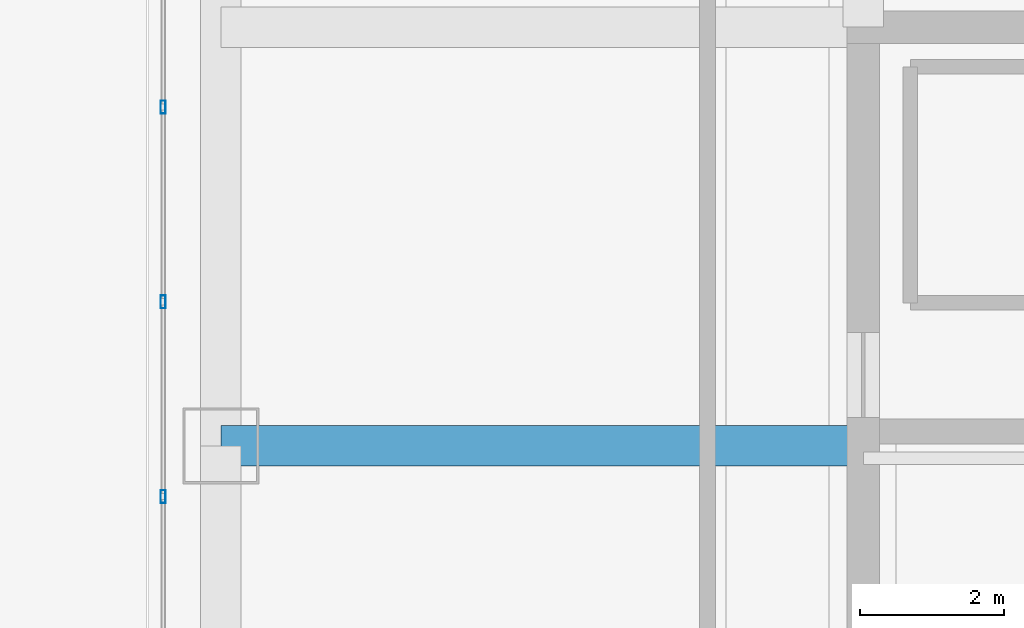
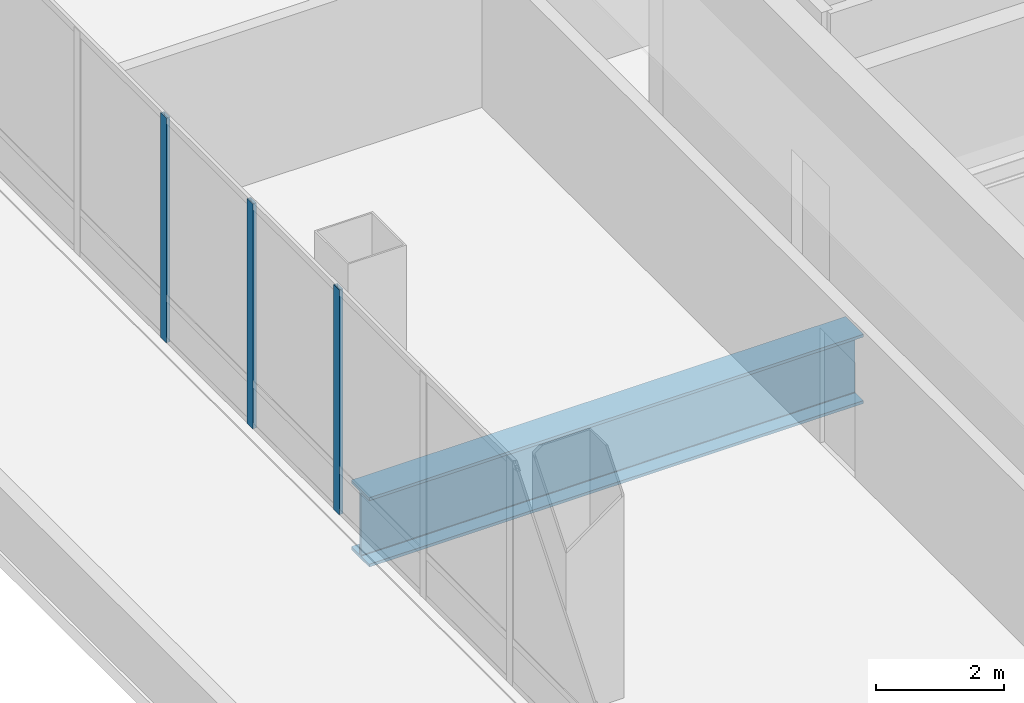
# One storey, part 10 of 33: 3 members, 1 beam, 1 element without a shape of its own.
"""IFC4 building model written with IfcOpenShell, lengths in metres."""

from ifc_helpers import new_model, si_unit, direction, frame, origin, origin_2d, place, context, subcontext, project, spatial, hollow_rectangle, i_section, extrude, material, material_profile, profile_set, type_object, element, aggregate, save


model = new_model("IFC4")

# Units and contexts
model_context = context("Model", 3, precision=1e-05, world=origin(), true_north=direction((0.0, 1.0)))
body_context = subcontext(model_context, "Body", "Model", "MODEL_VIEW")
ifc_project = project(units=[si_unit("LENGTHUNIT", "METRE"), si_unit("AREAUNIT", "SQUARE_METRE"), si_unit("VOLUMEUNIT", "CUBIC_METRE"), si_unit("PLANEANGLEUNIT", "RADIAN"), si_unit("MASSUNIT", "GRAM", prefix="KILO")], contexts=[model_context])

# Site, building, storey
site_placement = place(None, origin())
site = spatial("IfcSite", under=ifc_project, at=site_placement, CompositionType="ELEMENT")
building_placement = place(site_placement, origin())
building = spatial("IfcBuilding", under=site, at=building_placement, Name="Punatoya Terracotta Tower", CompositionType="ELEMENT")
storey_placement = place(building_placement, frame((0.0, 0.0, 343.800048828125)))
storey = spatial("IfcBuildingStorey", under=building, at=storey_placement, Name="L81", CompositionType="ELEMENT", Elevation=343.800048828125)

# Beam
ifc_material_1 = material(Name="Steel S460", Category="steel")
ifc_material_profile_1 = material_profile(ifc_material_1, i_section(OverallWidth=0.56005859375, OverallDepth=1.320068359375, WebThickness=0.035888671875, FlangeThickness=0.054931640625, FilletRadius=0.01806640625, at=origin_2d()))
ifc_profile_set_1 = profile_set([ifc_material_profile_1], Name="Steel S460")
beam_type = type_object("IfcBeamType", Name="BM-TG-BLK", PredefinedType="BEAM", material=ifc_profile_set_1)
beam_placement = place(storey_placement, frame((-19.10009765625, 3.39990234375, -0.93994140625), z_axis=(1.0, 0.0, 0.0), x_axis=(0.0, 1.0, 0.0)))
element("IfcBeam", 1, at=beam_placement, inside=storey, type_object=beam_type, Name="BM-L81-PR-WE", PredefinedType="BEAM", context=body_context, shape_type="SweptSolid", body=[
    extrude(i_section(OverallWidth=0.56005859375, OverallDepth=1.320068359375, WebThickness=0.035888671875, FlangeThickness=0.054931640625, FilletRadius=0.01806640625, at=origin_2d()), origin(), (0.0, 0.0, 1.0), 8.900146484375),
])

# Curtain wall, members
ifc_material_2 = material(Name="Aluminium 6063-T6 + Double Low-E Glass", Category="aluminium")
curtain_wall_type = type_object("IfcCurtainWallType", Name="CW-CRN", PredefinedType="NOTDEFINED", material=ifc_material_2)
curtain_wall_placement = place(storey_placement, origin())
curtain_wall = element("IfcCurtainWall", 2, at=curtain_wall_placement, inside=storey, type_object=curtain_wall_type, Name="L81 Curtain Wall CW-L81-W13-1", PredefinedType="NOTDEFINED")
ifc_material_3 = material(Name="Aluminium 6063-T6", Category="aluminium")
ifc_material_profile_2 = material_profile(ifc_material_3, hollow_rectangle(XDim=0.070068359375, YDim=0.179931640625, WallThickness=0.00390625, at=origin_2d()))
ifc_profile_set_2 = profile_set([ifc_material_profile_2], Name="Aluminium 6063-T6")
member_type = type_object("IfcMemberType", Name="CW-MUL-M3", PredefinedType="MULLION", material=ifc_profile_set_2)
member_1_placement = place(storey_placement, frame((-19.89990234375, 8.093505859375, 0.0), z_axis=(0.0, 0.0, 1.0), x_axis=(1.0, 0.0, 0.0)))
member_1 = element("IfcMember", 3, at=member_1_placement, type_object=member_type, Name="CW-L81-W13-1 Mullion 03", PredefinedType="MULLION", context=body_context, shape_type="SweptSolid", body=[
    extrude(hollow_rectangle(XDim=0.070068359375, YDim=0.179931640625, WallThickness=0.00390625, at=origin_2d()), origin(), (0.0, 0.0, 1.0), 4.280029296875),
])
member_2_placement = place(storey_placement, frame((-19.89990234375, 5.3955078125, 0.0), z_axis=(0.0, 0.0, 1.0), x_axis=(1.0, 0.0, 0.0)))
member_2 = element("IfcMember", 4, at=member_2_placement, type_object=member_type, Name="CW-L81-W13-1 Mullion 04", PredefinedType="MULLION", context=body_context, shape_type="SweptSolid", body=[
    extrude(hollow_rectangle(XDim=0.070068359375, YDim=0.179931640625, WallThickness=0.00390625, at=origin_2d()), origin(), (0.0, 0.0, 1.0), 4.280029296875),
])
member_3_placement = place(storey_placement, frame((-19.89990234375, 2.69775390625, 0.0), z_axis=(0.0, 0.0, 1.0), x_axis=(1.0, 0.0, 0.0)))
member_3 = element("IfcMember", 5, at=member_3_placement, type_object=member_type, Name="CW-L81-W13-1 Mullion 05", PredefinedType="MULLION", context=body_context, shape_type="SweptSolid", body=[
    extrude(hollow_rectangle(XDim=0.070068359375, YDim=0.179931640625, WallThickness=0.00390625, at=origin_2d()), origin(), (0.0, 0.0, 1.0), 4.280029296875),
])
aggregate(curtain_wall, [member_1, member_2, member_3])

save(model, "model.ifc")
